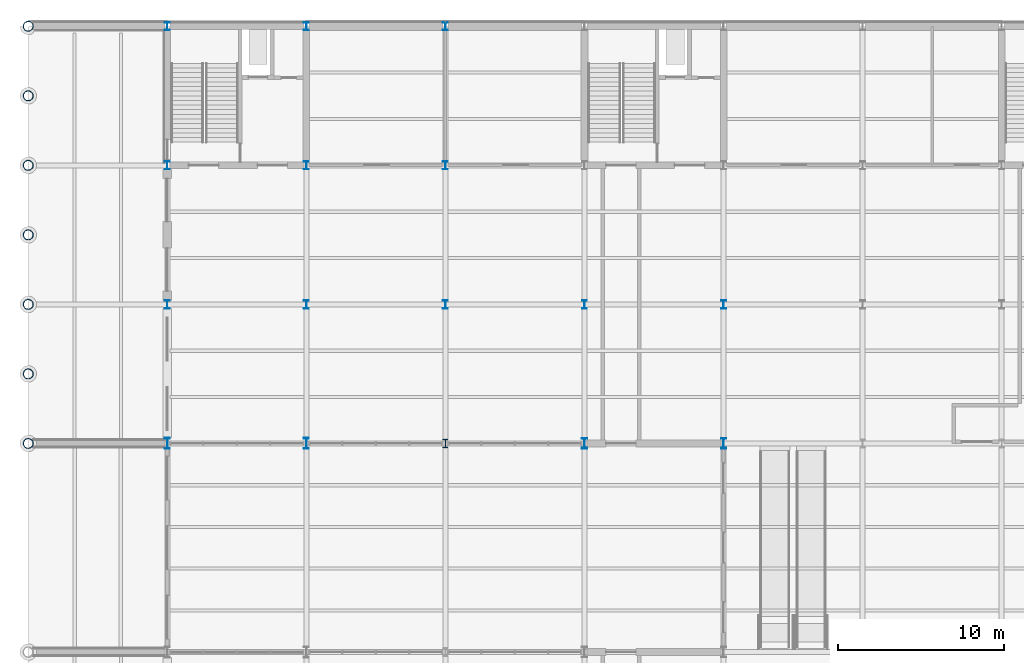
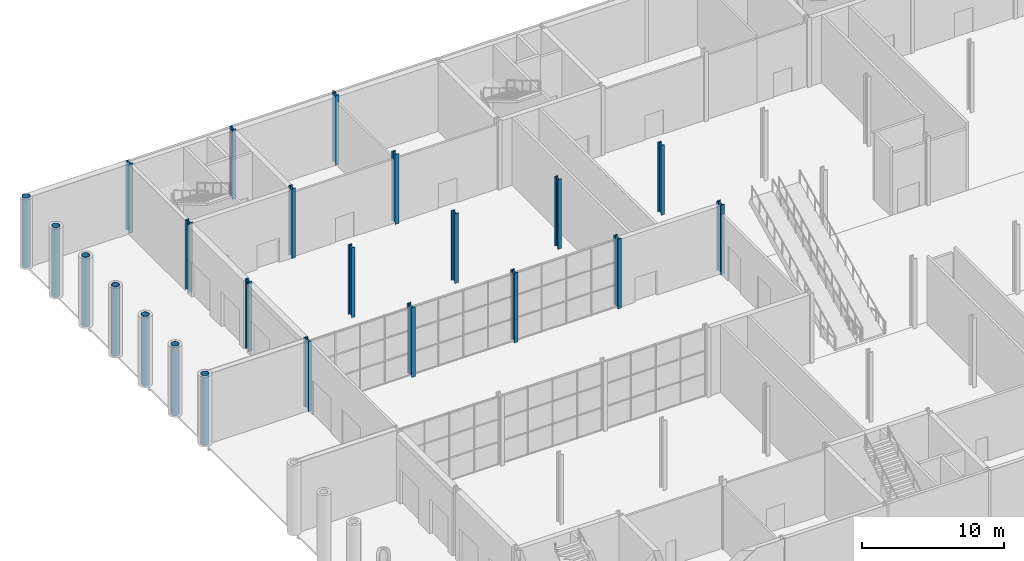
# One storey, part 3 of 55: 23 columns.
"""IFC4 building model written with IfcOpenShell, lengths in metres."""

from ifc_helpers import new_model, si_unit, direction, frame, origin, origin_2d, place, context, subcontext, project, spatial, hollow_circle, i_section, extrude, material, material_profile, profile_set, type_object, element, save


model = new_model("IFC4")

# Units and contexts
model_context = context("Model", 3, precision=1e-05, world=origin(), true_north=direction((0.0, 1.0)))
body_context = subcontext(model_context, "Body", "Model", "MODEL_VIEW")
ifc_project = project(units=[si_unit("LENGTHUNIT", "METRE"), si_unit("AREAUNIT", "SQUARE_METRE"), si_unit("VOLUMEUNIT", "CUBIC_METRE"), si_unit("PLANEANGLEUNIT", "RADIAN"), si_unit("MASSUNIT", "GRAM", prefix="KILO")], contexts=[model_context])

# Site, building, storey
site_placement = place(None, origin())
site = spatial("IfcSite", under=ifc_project, at=site_placement, CompositionType="ELEMENT")
building_placement = place(site_placement, origin())
building = spatial("IfcBuilding", under=site, at=building_placement, Name="Galleria Vessillo Department Store", CompositionType="ELEMENT")
storey_placement = place(building_placement, origin())
storey = spatial("IfcBuildingStorey", under=building, at=storey_placement, Name="L00", CompositionType="ELEMENT", Elevation=0.0)

# Columns
ifc_material_1 = material(Name="Steel S355 J2", Category="steel")
ifc_material_profile_1 = material_profile(ifc_material_1, hollow_circle(Radius=0.304931640625, WallThickness=0.02490234375, at=origin_2d()), Name="CHS 610x25")
ifc_profile_set_1 = profile_set([ifc_material_profile_1], Name="Steel S355 J2")
column_type_1 = type_object("IfcColumnType", Name="Steel column CHS 610x25 CO1", PredefinedType="COLUMN", material=ifc_profile_set_1)
for number, where, z_axis, x_axis, name in (
    (1, (0.0, 37.800048828125, 0.0), (0.0, 0.0, 1.0), (1.0, 0.0, 0.0), "S-COL-L00-1-E"),
    (2, (0.0, 42.0, 0.0), (0.0, 0.0, 1.0), (1.0, 0.0, 0.0), "S-COL-L00-1-42"),
    (3, (0.0, 46.199951171875, 0.0), (0.0, 0.0, 1.0), (1.0, 0.0, 0.0), "S-COL-L00-1-F"),
    (4, (0.0, 50.39990234375, 0.0), (0.0, 0.0, 1.0), (1.0, 0.0, 0.0), "S-COL-L00-1-50.4"),
    (5, (0.0, 54.60009765625, 0.0), (0.0, 0.0, 1.0), (1.0, 0.0, 0.0), "S-COL-L00-1-G"),
    (6, (0.0, 58.800048828125, 0.0), (0.0, 0.0, 1.0), (1.0, 0.0, 0.0), "S-COL-L00-1-58.8"),
    (7, (0.0, 63.0, 0.0), (0.0, 0.0, 1.0), (1.0, 0.0, 0.0), "S-COL-L00-1-H"),
):
    element("IfcColumn", number, at=place(storey_placement, frame(where, z_axis=z_axis, x_axis=x_axis)), inside=storey, type_object=column_type_1, Name=name, PredefinedType="COLUMN", context=body_context, shape_type="SweptSolid", body=[
        extrude(hollow_circle(Radius=0.304931640625, WallThickness=0.02490234375, at=origin_2d()), origin(), (0.0, 0.0, 1.0), 6.0),
    ])
ifc_material_2 = material(Name="Steel S355 J2", Category="steel")
ifc_material_profile_2 = material_profile(ifc_material_2, i_section(OverallWidth=0.300048828125, OverallDepth=0.5, WebThickness=0.014404296875, FlangeThickness=0.028076171875, FilletRadius=0.027099609375, at=origin_2d()), Name="HEB 500")
ifc_profile_set_2 = profile_set([ifc_material_profile_2], Name="Steel S355 J2")
column_type_2 = type_object("IfcColumnType", Name="Steel column HEB 500 CP1", PredefinedType="COLUMN", material=ifc_profile_set_2)
for number, where, z_axis, x_axis, name in (
    (8, (8.39990234375, 46.199951171875, 0.0), (0.0, 0.0, 1.0), (1.0, 0.0, 0.0), "S-COL-L00-2-F"),
    (9, (8.39990234375, 54.60009765625, 0.0), (0.0, 0.0, 1.0), (1.0, 0.0, 0.0), "S-COL-L00-2-G"),
    (10, (8.39990234375, 63.0, 0.0), (0.0, 0.0, 1.0), (1.0, 0.0, 0.0), "S-COL-L00-2-H"),
    (11, (16.800048828125, 46.199951171875, 0.0), (0.0, 0.0, 1.0), (1.0, 0.0, 0.0), "S-COL-L00-3-F"),
    (12, (16.800048828125, 54.60009765625, 0.0), (0.0, 0.0, 1.0), (1.0, 0.0, 0.0), "S-COL-L00-3-G"),
    (13, (16.800048828125, 63.0, 0.0), (0.0, 0.0, 1.0), (1.0, 0.0, 0.0), "S-COL-L00-3-H"),
    (14, (25.199951171875, 46.199951171875, 0.0), (0.0, 0.0, 1.0), (1.0, 0.0, 0.0), "S-COL-L00-4-F"),
    (15, (25.199951171875, 54.60009765625, 0.0), (0.0, 0.0, 1.0), (1.0, 0.0, 0.0), "S-COL-L00-4-G"),
    (16, (25.199951171875, 63.0, 0.0), (0.0, 0.0, 1.0), (1.0, 0.0, 0.0), "S-COL-L00-4-H"),
    (17, (33.60009765625, 46.199951171875, 0.0), (0.0, 0.0, 1.0), (1.0, 0.0, 0.0), "S-COL-L00-5-F"),
    (18, (42.0, 46.199951171875, 0.0), (0.0, 0.0, 1.0), (1.0, 0.0, 0.0), "S-COL-L00-6-F"),
):
    element("IfcColumn", number, at=place(storey_placement, frame(where, z_axis=z_axis, x_axis=x_axis)), inside=storey, type_object=column_type_2, Name=name, PredefinedType="COLUMN", context=body_context, shape_type="SweptSolid", body=[
        extrude(i_section(OverallWidth=0.300048828125, OverallDepth=0.5, WebThickness=0.014404296875, FlangeThickness=0.028076171875, FilletRadius=0.027099609375, at=origin_2d()), origin(), (0.0, 0.0, 1.0), 6.0),
    ])
ifc_material_3 = material(Name="Steel S355 J2", Category="steel")
ifc_material_profile_3 = material_profile(ifc_material_3, i_section(OverallWidth=0.305908203125, OverallDepth=0.52392578125, WebThickness=0.02099609375, FlangeThickness=0.0400390625, FilletRadius=0.027099609375, at=origin_2d()), Name="HEM 500")
ifc_profile_set_3 = profile_set([ifc_material_profile_3], Name="Steel S355 J2")
column_type_3 = type_object("IfcColumnType", Name="Steel column HEM 500 CV1", PredefinedType="COLUMN", material=ifc_profile_set_3)
column_placement = place(storey_placement, frame((25.199951171875, 37.800048828125, 0.0), z_axis=(0.0, 0.0, 1.0), x_axis=(1.0, 0.0, 0.0)))
element("IfcColumn", 19, at=column_placement, inside=storey, type_object=column_type_3, Name="S-COL-L00-4-E", PredefinedType="COLUMN", context=body_context, shape_type="SweptSolid", body=[
    extrude(i_section(OverallWidth=0.305908203125, OverallDepth=0.52392578125, WebThickness=0.02099609375, FlangeThickness=0.0400390625, FilletRadius=0.027099609375, at=origin_2d()), origin(), (0.0, 0.0, 1.0), 6.0),
])
ifc_material_4 = material(Name="Steel S355 J2", Category="steel")
ifc_material_profile_4 = material_profile(ifc_material_4, i_section(OverallWidth=0.304931640625, OverallDepth=0.6201171875, WebThickness=0.02099609375, FlangeThickness=0.0400390625, FilletRadius=0.027099609375, at=origin_2d()), Name="HEM 600")
ifc_profile_set_4 = profile_set([ifc_material_profile_4], Name="Steel S355 J2")
column_type_4 = type_object("IfcColumnType", Name="Steel column HEM 600 CV2", PredefinedType="COLUMN", material=ifc_profile_set_4)
for number, where, z_axis, x_axis, name in (
    (20, (33.60009765625, 37.800048828125, 0.0), (0.0, 0.0, 1.0), (1.0, 0.0, 0.0), "S-COL-L00-5-E"),
    (21, (42.0, 37.800048828125, 0.0), (0.0, 0.0, 1.0), (1.0, 0.0, 0.0), "S-COL-L00-6-E"),
):
    element("IfcColumn", number, at=place(storey_placement, frame(where, z_axis=z_axis, x_axis=x_axis)), inside=storey, type_object=column_type_4, Name=name, PredefinedType="COLUMN", context=body_context, shape_type="SweptSolid", body=[
        extrude(i_section(OverallWidth=0.304931640625, OverallDepth=0.6201171875, WebThickness=0.02099609375, FlangeThickness=0.0400390625, FilletRadius=0.027099609375, at=origin_2d()), origin(), (0.0, 0.0, 1.0), 6.0),
    ])
ifc_material_5 = material(Name="Steel S355 J2", Category="steel")
ifc_material_profile_5 = material_profile(ifc_material_5, i_section(OverallWidth=0.304931640625, OverallDepth=0.66796875, WebThickness=0.02099609375, FlangeThickness=0.0400390625, FilletRadius=0.027099609375, at=origin_2d()), Name="HEM 650")
ifc_profile_set_5 = profile_set([ifc_material_profile_5], Name="Steel S355 J2")
column_type_5 = type_object("IfcColumnType", Name="Steel column HEM 650 CV3", PredefinedType="COLUMN", material=ifc_profile_set_5)
for number, where, z_axis, x_axis, name in (
    (22, (8.39990234375, 37.800048828125, 0.0), (0.0, 0.0, 1.0), (1.0, 0.0, 0.0), "S-COL-L00-2-E"),
    (23, (16.800048828125, 37.800048828125, 0.0), (0.0, 0.0, 1.0), (1.0, 0.0, 0.0), "S-COL-L00-3-E"),
):
    element("IfcColumn", number, at=place(storey_placement, frame(where, z_axis=z_axis, x_axis=x_axis)), inside=storey, type_object=column_type_5, Name=name, PredefinedType="COLUMN", context=body_context, shape_type="SweptSolid", body=[
        extrude(i_section(OverallWidth=0.304931640625, OverallDepth=0.66796875, WebThickness=0.02099609375, FlangeThickness=0.0400390625, FilletRadius=0.027099609375, at=origin_2d()), origin(), (0.0, 0.0, 1.0), 6.0),
    ])

save(model, "model.ifc")
